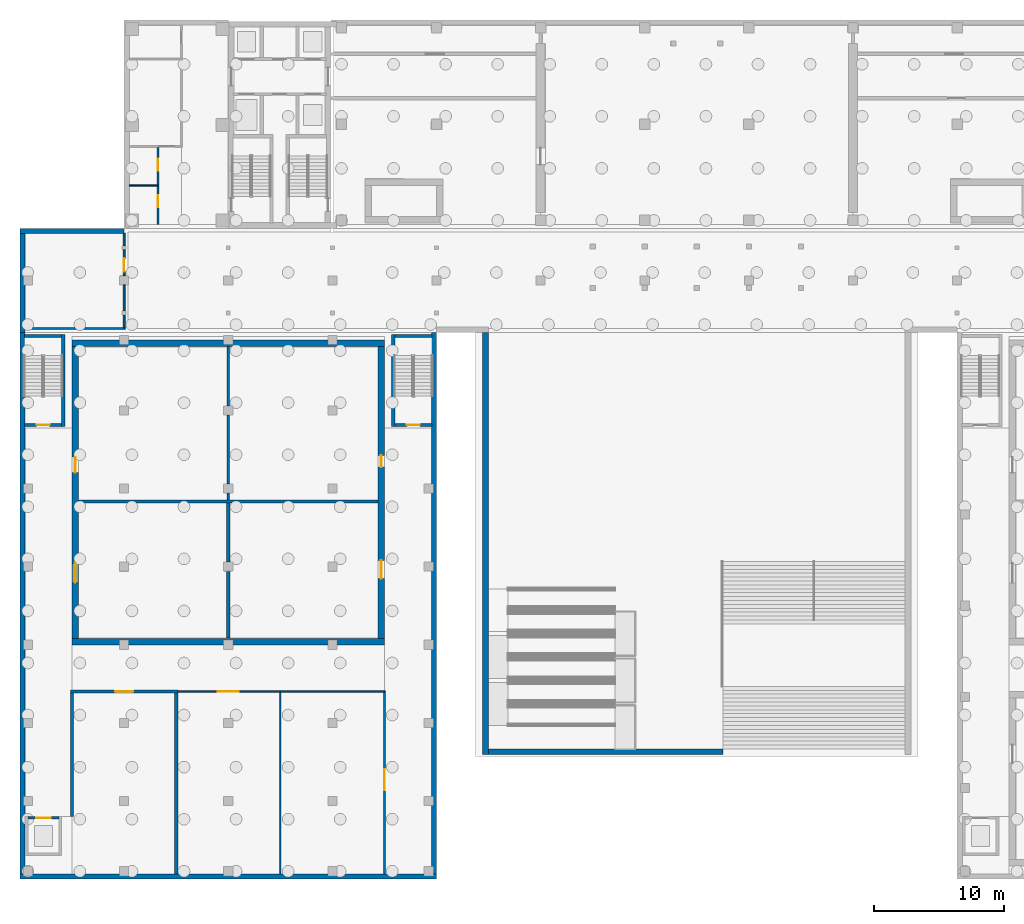
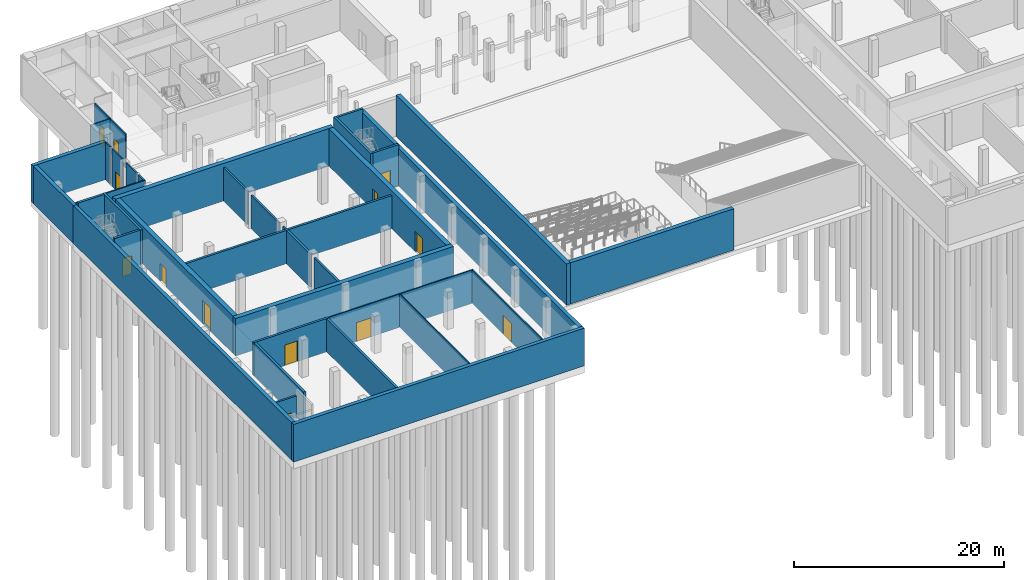
# One storey, part 6 of 21: 37 walls, 13 doors, 13 openings.
"""IFC4 building model written with IfcOpenShell, lengths in metres."""

import ifcopenshell
import ifcopenshell.guid

model = None  # the IFC model being written
_history = None  # IfcOwnerHistory: only IFC2X3 demands one
_inside = {}  # id of a spatial element -> (the spatial element, [elements in it])
_under = {}  # id of a project, library or spatial element -> (it, [spatial elements below it])
_declared = {}  # id of a project -> (the project, [libraries it declares])
_typed = {}  # id of a type object -> (the type object, [elements of that type])
_made_of = {}  # id of a material, layer set ... -> (it, [elements and type objects made of it])


def new_model(schema):
    """Start an empty IFC model of exactly this schema.

    Asked for "IFC4X3", IfcOpenShell would pick the latest addendum, in which some entities
    have other attributes; the version numbers below select the first issue.
    IFC2X3 requires an IfcOwnerHistory on every rooted entity: one is made here for all.
    """
    global model, _history
    if schema == "IFC4X3":
        model = ifcopenshell.file(schema_version=(4, 3, 0, 0))
    else:
        model = ifcopenshell.file(schema=schema)
    _inside.clear()
    _under.clear()
    _declared.clear()
    _typed.clear()
    _made_of.clear()
    _history = None
    if model.schema == "IFC2X3":
        org = make("IfcOrganization", Name="unknown")
        user = make(
            "IfcPersonAndOrganization",
            ThePerson=make("IfcPerson", FamilyName="unknown"),
            TheOrganization=org,
        )
        app = make(
            "IfcApplication",
            ApplicationDeveloper=org,
            Version="unknown",
            ApplicationFullName="unknown",
            ApplicationIdentifier="unknown",
        )
        _history = make(
            "IfcOwnerHistory",
            OwningUser=user,
            OwningApplication=app,
            ChangeAction="ADDED",
            CreationDate=0,
        )
    return model


def make(cls, **values):
    """One entity of the class cls with the attributes given. An attribute that is None is left unset."""
    return model.create_entity(
        cls, **{name: value for name, value in values.items() if value is not None}
    )


def rooted(cls, **values):
    """An entity with a GlobalId (a new one), such as an element, a storey or a relation."""
    return make(cls, GlobalId=ifcopenshell.guid.new(), OwnerHistory=_history, **values)


def si_unit(unit_type, name, prefix=None):
    """IfcSIUnit, for example si_unit("LENGTHUNIT", "METRE", prefix="MILLI")."""
    return make("IfcSIUnit", UnitType=unit_type, Prefix=prefix, Name=name)


def assignment(units):
    """IfcUnitAssignment: the units of a project."""
    return None if units is None else make("IfcUnitAssignment", Units=units)


def point(xyz):
    """IfcCartesianPoint."""
    return None if xyz is None else make("IfcCartesianPoint", Coordinates=xyz)


def direction(xyz):
    """IfcDirection."""
    return None if xyz is None else make("IfcDirection", DirectionRatios=xyz)


def frame(location, z_axis=None, x_axis=None):
    """IfcAxis2Placement3D, a coordinate frame: its origin and axes. An axis left out is left unset."""
    return make(
        "IfcAxis2Placement3D",
        Location=point(location),
        Axis=direction(z_axis),
        RefDirection=direction(x_axis),
    )


def frame_2d(location, x_axis=None):
    """IfcAxis2Placement2D, a coordinate frame in the plane: its origin and x axis."""
    return make(
        "IfcAxis2Placement2D", Location=point(location), RefDirection=direction(x_axis)
    )


def origin():
    """The frame at (0, 0, 0) with its axes left unset."""
    return frame((0.0, 0.0, 0.0))


def place(relative_to, where):
    """IfcLocalPlacement: puts the frame where relative to a parent placement (None: the world)."""
    return make(
        "IfcLocalPlacement", PlacementRelTo=relative_to, RelativePlacement=where
    )


def context(
    kind, dimensions, precision=None, world=None, true_north=None, identifier=None
):
    """IfcGeometricRepresentationContext, for example the 3D "Model" context."""
    return make(
        "IfcGeometricRepresentationContext",
        ContextIdentifier=identifier,
        ContextType=kind,
        CoordinateSpaceDimension=dimensions,
        Precision=precision,
        WorldCoordinateSystem=world,
        TrueNorth=true_north,
    )


def subcontext(parent, identifier, kind, view, scale=None):
    """IfcGeometricRepresentationSubContext, for example "Body" below "Model"."""
    return make(
        "IfcGeometricRepresentationSubContext",
        ContextIdentifier=identifier,
        ContextType=kind,
        ParentContext=parent,
        TargetScale=scale,
        TargetView=view,
    )


def project(units=None, contexts=None):
    """IfcProject with its units and contexts."""
    return rooted(
        "IfcProject",
        Name="project",
        RepresentationContexts=contexts,
        UnitsInContext=assignment(units),
    )


def spatial(cls, under=None, at=None, **own):
    """A site, building, storey or space (cls), placed at a placement, below another one or the project."""
    s = rooted(cls, ObjectPlacement=at, **own)
    if under is not None:
        _under.setdefault(under.id(), (under, []))[1].append(s)
    return s


def profile(cls, at=None, kind="AREA", **sizes):
    """A parametric profile (cls). Its sizes go by their IFC names, for example OverallWidth=200.0."""
    return make(cls, ProfileType=kind, Position=at, **sizes)


def rectangle(**sizes):
    """IfcRectangleProfileDef."""
    return profile("IfcRectangleProfileDef", **sizes)


def extrude(swept, where, along, depth):
    """IfcExtrudedAreaSolid: the profile swept, set in the frame where, extruded along a direction by depth."""
    return make(
        "IfcExtrudedAreaSolid",
        SweptArea=swept,
        Position=where,
        ExtrudedDirection=direction(along),
        Depth=depth,
    )


def shape(context_of_items, identifier, shape_type, items):
    """IfcShapeRepresentation: the items that make up one representation, for example the "Body"."""
    return make(
        "IfcShapeRepresentation",
        ContextOfItems=context_of_items,
        RepresentationIdentifier=identifier,
        RepresentationType=shape_type,
        Items=items,
    )


def material(Name=None, Category=None):
    """IfcMaterial."""
    return make("IfcMaterial", Name=Name, Category=Category)


def layer(
    of_material, thickness, ventilated=None, Name=None, Category=None, Priority=None
):
    """IfcMaterialLayer: one layer of a wall or slab, of a material (None: an air gap)."""
    return make(
        "IfcMaterialLayer",
        Material=of_material,
        LayerThickness=thickness,
        IsVentilated=ventilated,
        Name=Name,
        Category=Category,
        Priority=Priority,
    )


def layer_set(layers, Name=None):
    """IfcMaterialLayerSet."""
    return make("IfcMaterialLayerSet", MaterialLayers=layers, LayerSetName=Name)


def made_of(thing, what):
    """Note that an element or type object is made of a material, layer set ...; save() writes the relation."""
    if what is not None:
        _made_of.setdefault(what.id(), (what, []))[1].append(thing)
    return thing


def type_object(cls, material=None, **own):
    """A type object (cls), such as IfcWallType, which elements share."""
    return made_of(rooted(cls, **own), material)


def element(
    cls,
    number,
    at=None,
    inside=None,
    cuts=None,
    type_object=None,
    material=None,
    context=None,
    identifier="Body",
    shape_type=None,
    held_by="IfcProductDefinitionShape",
    body=None,
    shapes=None,
    **own,
):
    """One element of the class cls, such as IfcWall. Its Tag is "e" and its number.

    at: its placement. inside: the storey or other place that contains it. cuts: it is an
    opening in that element (IfcRelVoidsElement). A single representation is given by context,
    identifier, shape_type and body (its items); several are given by shapes. held_by: the class
    of the entity that holds the representations. save() writes the other relations.
    """
    e = rooted(cls, Tag="e%d" % number, ObjectPlacement=at, **own)
    if body is not None:
        shapes = [shape(context, identifier, shape_type, body)]
    if shapes is not None:
        e.Representation = make(held_by, Representations=shapes)
    if inside is not None:
        _inside.setdefault(inside.id(), (inside, []))[1].append(e)
    if cuts is not None:
        rooted(
            "IfcRelVoidsElement", RelatingBuildingElement=cuts, RelatedOpeningElement=e
        )
    if type_object is not None:
        _typed.setdefault(type_object.id(), (type_object, []))[1].append(e)
    return made_of(e, material)


def fill(opening, filler):
    """IfcRelFillsElement: the door or window that sits in an opening."""
    return rooted(
        "IfcRelFillsElement",
        RelatingOpeningElement=opening,
        RelatedBuildingElement=filler,
    )


def aggregate(whole, parts):
    """IfcRelAggregates: a whole, such as a stair, and the parts it consists of."""
    return rooted("IfcRelAggregates", RelatingObject=whole, RelatedObjects=parts)


def save(model, path):
    """Write the relations noted so far, then the file.

    IfcRelAggregates (storeys below a building ...), IfcRelContainedInSpatialStructure (elements
    in a storey), IfcRelDefinesByType, IfcRelAssociatesMaterial and IfcRelDeclares: one each for
    every whole, place, type object, material and project.
    """
    for whole, parts in _under.values():
        aggregate(whole, parts)
    for where, things in _inside.values():
        rooted(
            "IfcRelContainedInSpatialStructure",
            RelatedElements=things,
            RelatingStructure=where,
        )
    for kind, things in _typed.values():
        rooted("IfcRelDefinesByType", RelatedObjects=things, RelatingType=kind)
    for what, things in _made_of.values():
        rooted("IfcRelAssociatesMaterial", RelatedObjects=things, RelatingMaterial=what)
    for by, libraries in _declared.values():
        rooted("IfcRelDeclares", RelatingContext=by, RelatedDefinitions=libraries)
    model.write(path)


model = new_model("IFC4")

# Units and contexts
model_context = context("Model", 3, precision=1e-05, world=origin(), true_north=direction((0.0, 1.0)))
body_context = subcontext(model_context, "Body", "Model", "MODEL_VIEW")
ifc_project = project(units=[si_unit("LENGTHUNIT", "METRE"), si_unit("AREAUNIT", "SQUARE_METRE"), si_unit("VOLUMEUNIT", "CUBIC_METRE"), si_unit("PLANEANGLEUNIT", "RADIAN"), si_unit("MASSUNIT", "GRAM", prefix="KILO")], contexts=[model_context])

# Site, building, storey
site_placement = place(None, origin())
site = spatial("IfcSite", under=ifc_project, at=site_placement, CompositionType="ELEMENT")
building_placement = place(site_placement, origin())
building = spatial("IfcBuilding", under=site, at=building_placement, Name="Lantern Court Media Centre", CompositionType="ELEMENT")
storey_placement = place(building_placement, frame((0.0, 0.0, -4.800048828125)))
storey = spatial("IfcBuildingStorey", under=building, at=storey_placement, Name="B1", CompositionType="ELEMENT", Elevation=-4.800048828125)

# Wall, openings, doors
ifc_material_1 = material(Name="Gypsum board partition")
ifc_layer_1 = layer(ifc_material_1, 0.125)
ifc_layer_set_1 = layer_set([ifc_layer_1], Name="Gypsum board partition")
wall_type_1 = type_object("IfcWallType", Name="Corridor partition 125", PredefinedType="PARTITIONING", material=ifc_layer_set_1)
wall_1_placement = place(storey_placement, frame((10.60009765625, 48.300048828125, 0.0), z_axis=(0.0, 0.0, 1.0), x_axis=(0.0, 1.0, 0.0)))
wall_1 = element("IfcWall", 1, at=wall_1_placement, inside=storey, type_object=wall_type_1, Name="B1 partition 007", PredefinedType="PARTITIONING", context=body_context, shape_type="SweptSolid", body=[
    extrude(rectangle(XDim=5.907958984375, YDim=0.125, at=frame_2d((2.9541015625, 0.0))), origin(), (0.0, 0.0, 1.0), 3.97998046875),
])
opening_1_placement = place(wall_1_placement, frame((1.317626953125, 0.0, 0.0)))
opening_1 = element("IfcOpeningElement", 2, at=opening_1_placement, cuts=wall_1, Name="Opening B1-003", PredefinedType="OPENING", context=body_context, shape_type="SweptSolid", body=[
    extrude(rectangle(XDim=0.89990234375, YDim=2.10009765625, at=frame_2d((0.449951171875, 1.050048828125))), frame((0.0, 0.072509765625, 0.0), z_axis=(0.0, -1.0, 0.0), x_axis=(1.0, 0.0, 0.0)), (0.0, 0.0, 1.0), 0.14501953125),
])
opening_2_placement = place(wall_1_placement, frame((4.135986328125, 0.0, 0.0)))
opening_2 = element("IfcOpeningElement", 3, at=opening_2_placement, cuts=wall_1, Name="Opening B1-004", PredefinedType="OPENING", context=body_context, shape_type="SweptSolid", body=[
    extrude(rectangle(XDim=0.89990234375, YDim=2.10009765625, at=frame_2d((0.449951171875, 1.050048828125))), frame((0.0, 0.072509765625, 0.0), z_axis=(0.0, -1.0, 0.0), x_axis=(1.0, 0.0, 0.0)), (0.0, 0.0, 1.0), 0.14501953125),
])
ifc_material_2 = material(Name="Solid-core timber door leaf", Category="wood")
door_type_1 = type_object("IfcDoorType", Name="Single door 900x2100", OperationType="NOTDEFINED", PredefinedType="DOOR", material=ifc_material_2)
door_1_placement = place(opening_1_placement, origin())
door_1 = element("IfcDoor", 4, at=door_1_placement, inside=storey, type_object=door_type_1, Name="B1 WC Male door", OperationType="SINGLE_SWING_RIGHT", OverallHeight=2.10009765625, OverallWidth=0.89990234375, PredefinedType="DOOR", context=body_context, shape_type="SweptSolid", body=[
    extrude(rectangle(XDim=0.89990234375, YDim=2.10009765625, at=frame_2d((0.449951171875, 1.050048828125))), frame((0.0, 0.02490234375, 0.0), z_axis=(0.0, -1.0, 0.0), x_axis=(1.0, 0.0, 0.0)), (0.0, 0.0, 1.0), 0.050048828125),
])
fill(opening_1, door_1)
door_2_placement = place(opening_2_placement, origin())
door_2 = element("IfcDoor", 5, at=door_2_placement, inside=storey, type_object=door_type_1, Name="B1 WC Female door", OperationType="SINGLE_SWING_LEFT", OverallHeight=2.10009765625, OverallWidth=0.89990234375, PredefinedType="DOOR", context=body_context, shape_type="SweptSolid", body=[
    extrude(rectangle(XDim=0.89990234375, YDim=2.10009765625, at=frame_2d((0.449951171875, 1.050048828125))), frame((0.0, 0.02490234375, 0.0), z_axis=(0.0, -1.0, 0.0), x_axis=(1.0, 0.0, 0.0)), (0.0, 0.0, 1.0), 0.050048828125),
])
fill(opening_2, door_2)

# Wall, opening, door
wall_2_placement = place(storey_placement, frame((28.0, -1.594970703125, 0.0), z_axis=(0.0, 0.0, 1.0), x_axis=(0.0, 1.0, 0.0)))
wall_2 = element("IfcWall", 6, at=wall_2_placement, inside=storey, type_object=wall_type_1, Name="B1 partition 013", PredefinedType="PARTITIONING", context=body_context, shape_type="SweptSolid", body=[
    extrude(rectangle(XDim=13.932373046875, YDim=0.125, at=frame_2d((6.96630859375, 0.0))), origin(), (0.0, 0.0, 1.0), 3.880126953125),
])
opening_3_placement = place(wall_2_placement, frame((6.419921875, 0.0, 0.0)))
opening_3 = element("IfcOpeningElement", 7, at=opening_3_placement, cuts=wall_2, Name="Opening B1-011", PredefinedType="OPENING", context=body_context, shape_type="SweptSolid", body=[
    extrude(rectangle(XDim=1.60009765625, YDim=2.199951171875, at=frame_2d((0.800048828125, 1.10009765625))), frame((0.0, 0.072509765625, 0.0), z_axis=(0.0, -1.0, 0.0), x_axis=(1.0, 0.0, 0.0)), (0.0, 0.0, 1.0), 0.14501953125),
])
door_type_2 = type_object("IfcDoorType", Name="Double door 1600x2200", OperationType="NOTDEFINED", PredefinedType="DOOR", material=ifc_material_2)
door_3_placement = place(opening_3_placement, frame((1.60009765625, 0.0, 0.0), z_axis=(0.0, 0.0, 1.0), x_axis=(-1.0, 0.0, 0.0)))
door_3 = element("IfcDoor", 8, at=door_3_placement, inside=storey, type_object=door_type_2, Name="B1 Water Tank Room door", OperationType="DOUBLE_DOOR_SINGLE_SWING", OverallHeight=2.199951171875, OverallWidth=1.60009765625, PredefinedType="DOOR", context=body_context, shape_type="SweptSolid", body=[
    extrude(rectangle(XDim=1.60009765625, YDim=2.199951171875, at=frame_2d((0.800048828125, 1.10009765625))), frame((0.0, 0.02490234375, 0.0), z_axis=(0.0, -1.0, 0.0), x_axis=(1.0, 0.0, 0.0)), (0.0, 0.0, 1.0), 0.050048828125),
])
fill(opening_3, door_3)

wall_3_placement = place(storey_placement, frame((11.8798828125, 12.39990234375, 0.0), z_axis=(0.0, 0.0, 1.0), x_axis=(1.0, 0.0, 0.0)))
wall_3 = element("IfcWall", 9, at=wall_3_placement, inside=storey, type_object=wall_type_1, Name="B1 partition 015", PredefinedType="PARTITIONING", context=body_context, shape_type="SweptSolid", body=[
    extrude(rectangle(XDim=16.1826171875, YDim=0.125, at=frame_2d((8.09130859375, 0.0))), origin(), (0.0, 0.0, 1.0), 3.880126953125),
])
opening_4_placement = place(wall_3_placement, frame((3.320068359375, 0.0, 0.0)))
opening_4 = element("IfcOpeningElement", 10, at=opening_4_placement, cuts=wall_3, Name="Opening B1-010", PredefinedType="OPENING", context=body_context, shape_type="SweptSolid", body=[
    extrude(rectangle(XDim=1.60009765625, YDim=2.199951171875, at=frame_2d((0.800048828125, 1.10009765625))), frame((0.0, 0.072509765625, 0.0), z_axis=(0.0, -1.0, 0.0), x_axis=(1.0, 0.0, 0.0)), (0.0, 0.0, 1.0), 0.14501953125),
])
door_4_placement = place(opening_4_placement, origin())
door_4 = element("IfcDoor", 11, at=door_4_placement, inside=storey, type_object=door_type_2, Name="B1 Cinema Hall Switchroom door", OperationType="DOUBLE_DOOR_SINGLE_SWING", OverallHeight=2.199951171875, OverallWidth=1.60009765625, PredefinedType="DOOR", context=body_context, shape_type="SweptSolid", body=[
    extrude(rectangle(XDim=1.60009765625, YDim=2.199951171875, at=frame_2d((0.800048828125, 1.10009765625))), frame((0.0, 0.02490234375, 0.0), z_axis=(0.0, -1.0, 0.0), x_axis=(1.0, 0.0, 0.0)), (0.0, 0.0, 1.0), 0.050048828125),
])
fill(opening_4, door_4)

# Walls
ifc_material_3 = material(Name="Concrete blockwork C20", Category="masonry")
ifc_layer_2 = layer(ifc_material_3, 0.199951171875)
ifc_layer_set_2 = layer_set([ifc_layer_2], Name="Concrete blockwork C20")
wall_type_2 = type_object("IfcWallType", Name="Fire-rated blockwork wall 200", PredefinedType="PARTITIONING", material=ifc_layer_set_2)
wall_4_placement = place(storey_placement, frame((16.0, 27.1201171875, 0.0), z_axis=(0.0, 0.0, 1.0), x_axis=(0.0, 1.0, 0.0)))
element("IfcWall", 12, at=wall_4_placement, inside=storey, type_object=wall_type_2, Name="B1 partition 022", PredefinedType="PARTITIONING", context=body_context, shape_type="SweptSolid", body=[
    extrude(rectangle(XDim=0.52490234375, YDim=0.199951171875, at=frame_2d((0.262451171875, 0.0))), origin(), (0.0, 0.0, 1.0), 3.880126953125),
])
wall_5_placement = place(storey_placement, frame((16.0, 28.35498046875, 0.0), z_axis=(0.0, 0.0, 1.0), x_axis=(0.0, 1.0, 0.0)))
element("IfcWall", 13, at=wall_5_placement, inside=storey, type_object=wall_type_2, Name="B1 partition 023", PredefinedType="PARTITIONING", context=body_context, shape_type="SweptSolid", body=[
    extrude(rectangle(XDim=5.2900390625, YDim=0.199951171875, at=frame_2d((2.64501953125, 0.0))), origin(), (0.0, 0.0, 1.0), 3.880126953125),
])
wall_6_placement = place(storey_placement, frame((16.0, 34.35498046875, 0.0), z_axis=(0.0, 0.0, 1.0), x_axis=(0.0, 1.0, 0.0)))
element("IfcWall", 14, at=wall_6_placement, inside=storey, type_object=wall_type_2, Name="B1 partition 024", PredefinedType="PARTITIONING", context=body_context, shape_type="SweptSolid", body=[
    extrude(rectangle(XDim=4.544921875, YDim=0.199951171875, at=frame_2d((2.2724609375, 0.0))), origin(), (0.0, 0.0, 1.0), 3.880126953125),
])
ifc_layer_3 = layer(ifc_material_1, 0.10009765625)
ifc_layer_set_3 = layer_set([ifc_layer_3], Name="Gypsum board partition")
wall_type_3 = type_object("IfcWallType", Name="Partition 100", PredefinedType="PARTITIONING", material=ifc_layer_set_3)
wall_7_placement = place(storey_placement, frame((8.39990234375, 51.284912109375, 0.0), z_axis=(0.0, 0.0, 1.0), x_axis=(1.0, 0.0, 0.0)))
element("IfcWall", 15, at=wall_7_placement, inside=storey, type_object=wall_type_3, Name="B1 partition 008", PredefinedType="PARTITIONING", context=body_context, shape_type="SweptSolid", body=[
    extrude(rectangle(XDim=2.2626953125, YDim=0.10009765625, at=frame_2d((1.13134765625, 0.0))), origin(), (0.0, 0.0, 1.0), 3.97998046875),
])
wall_8_placement = place(storey_placement, frame((20.0, -1.594970703125, 0.0), z_axis=(0.0, 0.0, 1.0), x_axis=(0.0, 1.0, 0.0)))
element("IfcWall", 16, at=wall_8_placement, inside=storey, type_object=wall_type_3, Name="B1 partition 017", PredefinedType="PARTITIONING", context=body_context, shape_type="SweptSolid", body=[
    extrude(rectangle(XDim=13.932373046875, YDim=0.10009765625, at=frame_2d((6.96630859375, 0.0))), origin(), (0.0, 0.0, 1.0), 3.880126953125),
])
ifc_layer_4 = layer(ifc_material_3, 0.14990234375)
ifc_layer_set_4 = layer_set([ifc_layer_4], Name="Concrete blockwork C20")
wall_type_4 = type_object("IfcWallType", Name="Partition 150 masonry", PredefinedType="PARTITIONING", material=ifc_layer_set_4)
wall_9_placement = place(storey_placement, frame((8.0, 40.375, 0.0), z_axis=(0.0, 0.0, 1.0), x_axis=(0.0, 1.0, 0.0)))
element("IfcWall", 17, at=wall_9_placement, inside=storey, type_object=wall_type_4, Name="B1 partition 041", PredefinedType="PARTITIONING", context=body_context, shape_type="SweptSolid", body=[
    extrude(rectangle(XDim=0.969970703125, YDim=0.14990234375, at=frame_2d((0.48486328125, 0.0))), origin(), (0.0, 0.0, 1.0), 4.360107421875),
])
wall_10_placement = place(storey_placement, frame((8.0, 41.655029296875, 0.0), z_axis=(0.0, 0.0, 1.0), x_axis=(0.0, 1.0, 0.0)))
element("IfcWall", 18, at=wall_10_placement, inside=storey, type_object=wall_type_4, Name="B1 partition 042", PredefinedType="PARTITIONING", context=body_context, shape_type="SweptSolid", body=[
    extrude(rectangle(XDim=1.989990234375, YDim=0.14990234375, at=frame_2d((0.9951171875, 0.0))), origin(), (0.0, 0.0, 1.0), 4.360107421875),
])

# Wall, opening, door
wall_11_placement = place(storey_placement, frame((8.0, 44.35498046875, 0.0), z_axis=(0.0, 0.0, 1.0), x_axis=(0.0, 1.0, 0.0)))
wall_11 = element("IfcWall", 19, at=wall_11_placement, inside=storey, type_object=wall_type_4, Name="B1 partition 043", PredefinedType="PARTITIONING", context=body_context, shape_type="SweptSolid", body=[
    extrude(rectangle(XDim=1.989990234375, YDim=0.14990234375, at=frame_2d((0.9951171875, 0.0))), origin(), (0.0, 0.0, 1.0), 4.360107421875),
])
opening_5_placement = place(wall_11_placement, frame((0.294921875, 0.0, 0.0)))
opening_5 = element("IfcOpeningElement", 20, at=opening_5_placement, cuts=wall_11, Name="Opening B1-023", PredefinedType="OPENING", context=body_context, shape_type="SweptSolid", body=[
    extrude(rectangle(XDim=1.050048828125, YDim=2.10009765625, at=frame_2d((0.52490234375, 1.050048828125))), frame((0.0, 0.0849609375, 0.0), z_axis=(0.0, -1.0, 0.0), x_axis=(1.0, 0.0, 0.0)), (0.0, 0.0, 1.0), 0.169921875),
])
ifc_material_4 = material(Name="Steel door leaf", Category="steel")
door_type_3 = type_object("IfcDoorType", Name="Store fire door 1050x2100", OperationType="NOTDEFINED", PredefinedType="DOOR", material=ifc_material_4)
door_5_placement = place(opening_5_placement, origin())
door_5 = element("IfcDoor", 21, at=door_5_placement, inside=storey, type_object=door_type_3, Name="B1 Metro Link Store door", OperationType="SINGLE_SWING_RIGHT", OverallHeight=2.10009765625, OverallWidth=1.050048828125, PredefinedType="DOOR", context=body_context, shape_type="SweptSolid", body=[
    extrude(rectangle(XDim=1.050048828125, YDim=2.10009765625, at=frame_2d((0.52490234375, 1.050048828125))), frame((0.0, 0.02490234375, 0.0), z_axis=(0.0, -1.0, 0.0), x_axis=(1.0, 0.0, 0.0)), (0.0, 0.0, 1.0), 0.050048828125),
])
fill(opening_5, door_5)

# Walls
wall_12_placement = place(storey_placement, frame((8.0, 46.655029296875, 0.0), z_axis=(0.0, 0.0, 1.0), x_axis=(0.0, 1.0, 0.0)))
element("IfcWall", 22, at=wall_12_placement, inside=storey, type_object=wall_type_4, Name="B1 partition 044", PredefinedType="PARTITIONING", context=body_context, shape_type="SweptSolid", body=[
    extrude(rectangle(XDim=0.945068359375, YDim=0.14990234375, at=frame_2d((0.47265625, 0.0))), origin(), (0.0, 0.0, 1.0), 4.360107421875),
])
wall_13_placement = place(storey_placement, frame((0.39990234375, 40.300048828125, 0.0), z_axis=(0.0, 0.0, 1.0), x_axis=(1.0, 0.0, 0.0)))
element("IfcWall", 23, at=wall_13_placement, inside=storey, type_object=wall_type_4, Name="B1 partition 045", PredefinedType="PARTITIONING", context=body_context, shape_type="SweptSolid", body=[
    extrude(rectangle(XDim=7.675048828125, YDim=0.14990234375, at=frame_2d((3.83740234375, 0.0))), origin(), (0.0, 0.0, 1.0), 4.360107421875),
])
ifc_layer_5 = layer(ifc_material_3, 0.239990234375)
ifc_layer_set_5 = layer_set([ifc_layer_5], Name="Concrete blockwork C20")
wall_type_5 = type_object("IfcWallType", Name="Plant room acoustic fire wall 240", PredefinedType="PARTITIONING", material=ifc_layer_set_5)
wall_14_placement = place(storey_placement, frame((4.0, 2.800048828125, 0.0), z_axis=(0.0, 0.0, 1.0), x_axis=(0.0, 1.0, 0.0)))
element("IfcWall", 24, at=wall_14_placement, inside=storey, type_object=wall_type_5, Name="B1 partition 012", PredefinedType="PARTITIONING", context=body_context, shape_type="SweptSolid", body=[
    extrude(rectangle(XDim=9.47998046875, YDim=0.239990234375, at=frame_2d((4.739990234375, 0.0))), origin(), (0.0, 0.0, 1.0), 3.880126953125),
])

# Wall, opening, door
wall_15_placement = place(storey_placement, frame((3.8798828125, 12.39990234375, 0.0), z_axis=(0.0, 0.0, 1.0), x_axis=(1.0, 0.0, 0.0)))
wall_15 = element("IfcWall", 25, at=wall_15_placement, inside=storey, type_object=wall_type_5, Name="B1 partition 014", PredefinedType="PARTITIONING", context=body_context, shape_type="SweptSolid", body=[
    extrude(rectangle(XDim=8.240234375, YDim=0.239990234375, at=frame_2d((4.1201171875, 0.0))), origin(), (0.0, 0.0, 1.0), 3.880126953125),
])
opening_6_placement = place(wall_15_placement, frame((3.419921875, 0.0, 0.0)))
opening_6 = element("IfcOpeningElement", 26, at=opening_6_placement, cuts=wall_15, Name="Opening B1-009", PredefinedType="OPENING", context=body_context, shape_type="SweptSolid", body=[
    extrude(rectangle(XDim=1.39990234375, YDim=2.39990234375, at=frame_2d((0.699951171875, 1.199951171875))), frame((0.0, 0.1298828125, 0.0), z_axis=(0.0, -1.0, 0.0), x_axis=(1.0, 0.0, 0.0)), (0.0, 0.0, 1.0), 0.260009765625),
])
door_type_4 = type_object("IfcDoorType", Name="Plant room fire door 1400x2400", OperationType="NOTDEFINED", PredefinedType="DOOR", material=ifc_material_4)
door_6_placement = place(opening_6_placement, origin())
door_6 = element("IfcDoor", 27, at=door_6_placement, inside=storey, type_object=door_type_4, Name="B1 Chiller Plant Room door", OperationType="SINGLE_SWING_RIGHT", OverallHeight=2.39990234375, OverallWidth=1.39990234375, PredefinedType="DOOR", context=body_context, shape_type="SweptSolid", body=[
    extrude(rectangle(XDim=1.39990234375, YDim=2.39990234375, at=frame_2d((0.699951171875, 1.199951171875))), frame((0.0, 0.02490234375, 0.0), z_axis=(0.0, -1.0, 0.0), x_axis=(1.0, 0.0, 0.0)), (0.0, 0.0, 1.0), 0.050048828125),
])
fill(opening_6, door_6)

# Walls
wall_16_placement = place(storey_placement, frame((12.0, -1.594970703125, 0.0), z_axis=(0.0, 0.0, 1.0), x_axis=(0.0, 1.0, 0.0)))
element("IfcWall", 28, at=wall_16_placement, inside=storey, type_object=wall_type_5, Name="B1 partition 016", PredefinedType="PARTITIONING", context=body_context, shape_type="SweptSolid", body=[
    extrude(rectangle(XDim=13.875, YDim=0.239990234375, at=frame_2d((6.9375, 0.0))), origin(), (0.0, 0.0, 1.0), 3.880126953125),
])
wall_17_placement = place(storey_placement, frame((4.5048828125, 27.0, 0.0), z_axis=(0.0, 0.0, 1.0), x_axis=(1.0, 0.0, 0.0)))
element("IfcWall", 29, at=wall_17_placement, inside=storey, type_object=wall_type_5, Name="B1 partition 018", PredefinedType="PARTITIONING", context=body_context, shape_type="SweptSolid", body=[
    extrude(rectangle(XDim=22.990234375, YDim=0.239990234375, at=frame_2d((11.4951171875, 0.0))), origin(), (0.0, 0.0, 1.0), 3.880126953125),
])
wall_18_placement = place(storey_placement, frame((16.0, 16.5048828125, 0.0), z_axis=(0.0, 0.0, 1.0), x_axis=(0.0, 1.0, 0.0)))
element("IfcWall", 30, at=wall_18_placement, inside=storey, type_object=wall_type_5, Name="B1 partition 020", PredefinedType="PARTITIONING", context=body_context, shape_type="SweptSolid", body=[
    extrude(rectangle(XDim=5.14013671875, YDim=0.239990234375, at=frame_2d((2.570068359375, 0.0))), origin(), (0.0, 0.0, 1.0), 3.880126953125),
])
wall_19_placement = place(storey_placement, frame((16.0, 22.35498046875, 0.0), z_axis=(0.0, 0.0, 1.0), x_axis=(0.0, 1.0, 0.0)))
element("IfcWall", 31, at=wall_19_placement, inside=storey, type_object=wall_type_5, Name="B1 partition 021", PredefinedType="PARTITIONING", context=body_context, shape_type="SweptSolid", body=[
    extrude(rectangle(XDim=4.52490234375, YDim=0.239990234375, at=frame_2d((2.262451171875, 0.0))), origin(), (0.0, 0.0, 1.0), 3.880126953125),
])
ifc_material_5 = material(Name="Concrete C40", Category="concrete")
ifc_layer_6 = layer(ifc_material_5, 0.5)
ifc_layer_set_6 = layer_set([ifc_layer_6], Name="Concrete C40")
wall_type_6 = type_object("IfcWallType", Name="RC BASEMENT BOX WALL 500", PredefinedType="SHEAR", material=ifc_layer_set_6)
for number, where, z_axis, x_axis, name in (
    (32, (4.0, 16.25, 0.0), (0.0, 0.0, 1.0), (1.0, 0.0, 0.0), "WB-V1-SC1-B1-S"),
    (33, (4.0, 39.14990234375, 0.0), (0.0, 0.0, 1.0), (1.0, 0.0, 0.0), "WB-V1-SC1-B1-N"),
):
    element("IfcWall", number, at=place(storey_placement, frame(where, z_axis=z_axis, x_axis=x_axis)), inside=storey, type_object=wall_type_6, Name=name, PredefinedType="SHEAR", context=body_context, shape_type="SweptSolid", body=[
        extrude(rectangle(XDim=24.0, YDim=0.5, at=frame_2d((12.0, 0.0))), origin(), (0.0, 0.0, 1.0), 4.380126953125),
    ])

# Wall, openings, doors
wall_20_placement = place(storey_placement, frame((4.25, 16.5, 0.0), z_axis=(0.0, 0.0, 1.0), x_axis=(0.0, 1.0, 0.0)))
wall_20 = element("IfcWall", 34, at=wall_20_placement, inside=storey, type_object=wall_type_6, Name="WB-V1-SC1-B1-W", PredefinedType="SHEAR", context=body_context, shape_type="SweptSolid", body=[
    extrude(rectangle(XDim=22.39990234375, YDim=0.5, at=frame_2d((11.199951171875, 0.0))), origin(), (0.0, 0.0, 1.0), 4.380126953125),
])
opening_7_placement = place(wall_20_placement, frame((4.25, 0.0, 0.0)))
opening_7 = element("IfcOpeningElement", 35, at=opening_7_placement, cuts=wall_20, Name="Opening B1-012", PredefinedType="OPENING", context=body_context, shape_type="SweptSolid", body=[
    extrude(rectangle(XDim=1.5, YDim=2.699951171875, at=frame_2d((0.75, 1.35009765625))), frame((0.0, 0.260009765625, 0.0), z_axis=(0.0, -1.0, 0.0), x_axis=(1.0, 0.0, 0.0)), (0.0, 0.0, 1.0), 0.52001953125),
])
opening_8_placement = place(wall_20_placement, frame((12.72509765625, 0.0, 0.0)))
opening_8 = element("IfcOpeningElement", 36, at=opening_8_placement, cuts=wall_20, Name="Opening B1-014", PredefinedType="OPENING", context=body_context, shape_type="SweptSolid", body=[
    extrude(rectangle(XDim=1.199951171875, YDim=2.10009765625, at=frame_2d((0.60009765625, 1.050048828125))), frame((0.0, 0.260009765625, 0.0), z_axis=(0.0, -1.0, 0.0), x_axis=(1.0, 0.0, 0.0)), (0.0, 0.0, 1.0), 0.52001953125),
])
door_type_5 = type_object("IfcDoorType", Name="Generator hall fire door 1500x2700", OperationType="NOTDEFINED", PredefinedType="DOOR", material=ifc_material_4)
door_7_placement = place(opening_7_placement, origin())
door_7 = element("IfcDoor", 37, at=door_7_placement, inside=storey, type_object=door_type_5, Name="B1 Standby Generator Hall door", OperationType="SINGLE_SWING_LEFT", OverallHeight=2.699951171875, OverallWidth=1.5, PredefinedType="DOOR", context=body_context, shape_type="SweptSolid", body=[
    extrude(rectangle(XDim=1.5, YDim=2.699951171875, at=frame_2d((0.75, 1.35009765625))), frame((0.0, 0.02490234375, 0.0), z_axis=(0.0, -1.0, 0.0), x_axis=(1.0, 0.0, 0.0)), (0.0, 0.0, 1.0), 0.050048828125),
])
fill(opening_7, door_7)
door_type_6 = type_object("IfcDoorType", Name="Large store fire door 1200x2100", OperationType="NOTDEFINED", PredefinedType="DOOR", material=ifc_material_4)
door_8_placement = place(opening_8_placement, origin())
door_8 = element("IfcDoor", 38, at=door_8_placement, inside=storey, type_object=door_type_6, Name="B1 Cinema Store door", OperationType="SINGLE_SWING_LEFT", OverallHeight=2.10009765625, OverallWidth=1.199951171875, PredefinedType="DOOR", context=body_context, shape_type="SweptSolid", body=[
    extrude(rectangle(XDim=1.199951171875, YDim=2.10009765625, at=frame_2d((0.60009765625, 1.050048828125))), frame((0.0, 0.02490234375, 0.0), z_axis=(0.0, -1.0, 0.0), x_axis=(1.0, 0.0, 0.0)), (0.0, 0.0, 1.0), 0.050048828125),
])
fill(opening_8, door_8)

wall_21_placement = place(storey_placement, frame((27.75, 16.5, 0.0), z_axis=(0.0, 0.0, 1.0), x_axis=(0.0, 1.0, 0.0)))
wall_21 = element("IfcWall", 39, at=wall_21_placement, inside=storey, type_object=wall_type_6, Name="WB-V1-SC1-B1-E", PredefinedType="SHEAR", context=body_context, shape_type="SweptSolid", body=[
    extrude(rectangle(XDim=22.39990234375, YDim=0.5, at=frame_2d((11.199951171875, 0.0))), origin(), (0.0, 0.0, 1.0), 4.380126953125),
])
opening_9_placement = place(wall_21_placement, frame((4.574951171875, 0.0, 0.0)))
opening_9 = element("IfcOpeningElement", 40, at=opening_9_placement, cuts=wall_21, Name="Opening B1-013", PredefinedType="OPENING", context=body_context, shape_type="SweptSolid", body=[
    extrude(rectangle(XDim=1.39990234375, YDim=2.39990234375, at=frame_2d((0.699951171875, 1.199951171875))), frame((0.0, 0.260009765625, 0.0), z_axis=(0.0, -1.0, 0.0), x_axis=(1.0, 0.0, 0.0)), (0.0, 0.0, 1.0), 0.52001953125),
])
opening_10_placement = place(wall_21_placement, frame((13.14990234375, 0.0, 0.0)))
opening_10 = element("IfcOpeningElement", 41, at=opening_10_placement, cuts=wall_21, Name="Opening B1-015", PredefinedType="OPENING", context=body_context, shape_type="SweptSolid", body=[
    extrude(rectangle(XDim=0.89990234375, YDim=2.39990234375, at=frame_2d((0.449951171875, 1.199951171875))), frame((0.0, 0.260009765625, 0.0), z_axis=(0.0, -1.0, 0.0), x_axis=(1.0, 0.0, 0.0)), (0.0, 0.0, 1.0), 0.52001953125),
])
door_type_7 = type_object("IfcDoorType", Name="Fuel store fire door 900x2400", OperationType="NOTDEFINED", PredefinedType="DOOR", material=ifc_material_4)
door_9_placement = place(opening_10_placement, frame((0.89990234375, 0.0, 0.0), z_axis=(0.0, 0.0, 1.0), x_axis=(-1.0, 0.0, 0.0)))
door_9 = element("IfcDoor", 42, at=door_9_placement, inside=storey, type_object=door_type_7, Name="B1 Fuel and Oil Store door", OperationType="SINGLE_SWING_RIGHT", OverallHeight=2.39990234375, OverallWidth=0.89990234375, PredefinedType="DOOR", context=body_context, shape_type="SweptSolid", body=[
    extrude(rectangle(XDim=0.89990234375, YDim=2.39990234375, at=frame_2d((0.449951171875, 1.199951171875))), frame((0.0, 0.02490234375, 0.0), z_axis=(0.0, -1.0, 0.0), x_axis=(1.0, 0.0, 0.0)), (0.0, 0.0, 1.0), 0.050048828125),
])
fill(opening_10, door_9)
door_10_placement = place(opening_9_placement, frame((1.39990234375, 0.0, 0.0), z_axis=(0.0, 0.0, 1.0), x_axis=(-1.0, 0.0, 0.0)))
door_10 = element("IfcDoor", 43, at=door_10_placement, inside=storey, type_object=door_type_4, Name="B1 Air Handling Plant Room door", OperationType="SINGLE_SWING_RIGHT", OverallHeight=2.39990234375, OverallWidth=1.39990234375, PredefinedType="DOOR", context=body_context, shape_type="SweptSolid", body=[
    extrude(rectangle(XDim=1.39990234375, YDim=2.39990234375, at=frame_2d((0.699951171875, 1.199951171875))), frame((0.0, 0.02490234375, 0.0), z_axis=(0.0, -1.0, 0.0), x_axis=(1.0, 0.0, 0.0)), (0.0, 0.0, 1.0), 0.050048828125),
])
fill(opening_9, door_10)

# Walls
ifc_material_6 = material(Name="Concrete C35", Category="concrete")
ifc_layer_7 = layer(ifc_material_6, 0.39990234375)
ifc_layer_set_7 = layer_set([ifc_layer_7], Name="Concrete C35")
wall_type_7 = type_object("IfcWallType", Name="RC RETAINING WALL 400", PredefinedType="SOLIDWALL", material=ifc_layer_set_7)
wall_22_placement = place(storey_placement, frame((0.0, -1.800048828125, 0.0), z_axis=(0.0, 0.0, 1.0), x_axis=(1.0, 0.0, 0.0)))
element("IfcWall", 44, at=wall_22_placement, inside=storey, type_object=wall_type_7, Name="WR-B1-0", PredefinedType="SOLIDWALL", context=body_context, shape_type="SweptSolid", body=[
    extrude(rectangle(XDim=32.0, YDim=0.39990234375, at=frame_2d((16.0, 0.0))), origin(), (0.0, 0.0, 1.0), 4.380126953125),
])
wall_23_placement = place(storey_placement, frame((0.0, 47.800048828125, 0.0), z_axis=(0.0, 0.0, 1.0), x_axis=(1.0, 0.0, 0.0)))
element("IfcWall", 45, at=wall_23_placement, inside=storey, type_object=wall_type_7, Name="WR-B1-5", PredefinedType="SOLIDWALL", context=body_context, shape_type="SweptSolid", body=[
    extrude(rectangle(XDim=8.0, YDim=0.39990234375, at=frame_2d((4.0, 0.0))), origin(), (0.0, 0.0, 1.0), 4.380126953125),
])
for number, where, z_axis, x_axis, name in (
    (46, (0.199951171875, -1.60009765625, 0.0), (0.0, 0.0, 1.0), (0.0, 1.0, 0.0), "WR-B1-6"),
    (47, (31.800048828125, -1.60009765625, 0.0), (0.0, 0.0, 1.0), (0.0, 1.0, 0.0), "WR-B1-7"),
):
    element("IfcWall", number, at=place(storey_placement, frame(where, z_axis=z_axis, x_axis=x_axis)), inside=storey, type_object=wall_type_7, Name=name, PredefinedType="SOLIDWALL", context=body_context, shape_type="SweptSolid", body=[
        extrude(rectangle(XDim=41.60009765625, YDim=0.39990234375, at=frame_2d((20.800048828125, 0.0))), origin(), (0.0, 0.0, 1.0), 4.380126953125),
    ])
wall_24_placement = place(storey_placement, frame((0.199951171875, 40.0, 0.0), z_axis=(0.0, 0.0, 1.0), x_axis=(0.0, 1.0, 0.0)))
element("IfcWall", 48, at=wall_24_placement, inside=storey, type_object=wall_type_7, Name="WR-B1-13", PredefinedType="SOLIDWALL", context=body_context, shape_type="SweptSolid", body=[
    extrude(rectangle(XDim=7.60009765625, YDim=0.39990234375, at=frame_2d((3.800048828125, 0.0))), origin(), (0.0, 0.0, 1.0), 4.380126953125),
])
ifc_layer_8 = layer(ifc_material_6, 0.449951171875)
ifc_layer_set_8 = layer_set([ifc_layer_8], Name="Concrete C35")
wall_type_8 = type_object("IfcWallType", Name="RC RETAINING WALL 450", PredefinedType="SOLIDWALL", material=ifc_layer_set_8)
wall_25_placement = place(storey_placement, frame((35.77490234375, 7.550048828125, 0.0), z_axis=(0.0, 0.0, 1.0), x_axis=(0.0, 1.0, 0.0)))
element("IfcWall", 49, at=wall_25_placement, inside=storey, type_object=wall_type_8, Name="WR-FC-W", PredefinedType="SOLIDWALL", context=body_context, shape_type="SweptSolid", body=[
    extrude(rectangle(XDim=32.449951171875, YDim=0.449951171875, at=frame_2d((16.22509765625, 0.0))), origin(), (0.0, 0.0, 1.0), 4.800048828125),
])
wall_26_placement = place(storey_placement, frame((36.0, 7.77490234375, 0.0), z_axis=(0.0, 0.0, 1.0), x_axis=(1.0, 0.0, 0.0)))
element("IfcWall", 50, at=wall_26_placement, inside=storey, type_object=wall_type_8, Name="WR-FC-S", PredefinedType="SOLIDWALL", context=body_context, shape_type="SweptSolid", body=[
    extrude(rectangle(XDim=18.0, YDim=0.449951171875, at=frame_2d((9.0, 0.0))), origin(), (0.0, 0.0, 1.0), 4.800048828125),
])

# Wall, opening, door
ifc_layer_9 = layer(ifc_material_5, 0.199951171875)
ifc_layer_set_9 = layer_set([ifc_layer_9], Name="Concrete C40")
wall_type_9 = type_object("IfcWallType", Name="RC lift shaft wall 200", PredefinedType="SOLIDWALL", material=ifc_layer_set_9)
wall_27_placement = place(storey_placement, frame((0.60009765625, 2.699951171875, 0.0), z_axis=(0.0, 0.0, 1.0), x_axis=(1.0, 0.0, 0.0)))
wall_27 = element("IfcWall", 51, at=wall_27_placement, inside=storey, type_object=wall_type_9, Name="B1 V1-LIFT shaft wall N", PredefinedType="SOLIDWALL", context=body_context, shape_type="SweptSolid", body=[
    extrude(rectangle(XDim=2.39990234375, YDim=0.199951171875, at=frame_2d((1.199951171875, 0.0))), origin(), (0.0, 0.0, 1.0), 3.880126953125),
])
opening_11_placement = place(wall_27_placement, frame((0.64990234375, 0.0, 0.0)))
opening_11 = element("IfcOpeningElement", 52, at=opening_11_placement, cuts=wall_27, Name="Opening LD-V1-LIFT-B1", PredefinedType="OPENING", context=body_context, shape_type="SweptSolid", body=[
    extrude(rectangle(XDim=1.10009765625, YDim=2.10009765625, at=frame_2d((0.550048828125, 1.050048828125))), frame((0.0, 0.10986328125, 0.0), z_axis=(0.0, -1.0, 0.0), x_axis=(1.0, 0.0, 0.0)), (0.0, 0.0, 1.0), 0.219970703125),
])
door_type_8 = type_object("IfcDoorType", Name="Lift landing door 1100x2100", OperationType="DOUBLE_DOOR_SLIDING", PredefinedType="DOOR", material=ifc_material_4)
door_11_placement = place(opening_11_placement, origin())
door_11 = element("IfcDoor", 53, at=door_11_placement, inside=storey, type_object=door_type_8, Name="B1 V1-LIFT lift landing door", OperationType="DOUBLE_DOOR_SLIDING", OverallHeight=2.10009765625, OverallWidth=1.10009765625, PredefinedType="DOOR", context=body_context, shape_type="SweptSolid", body=[
    extrude(rectangle(XDim=1.10009765625, YDim=2.10009765625, at=frame_2d((0.550048828125, 1.050048828125))), frame((0.0, 0.02490234375, 0.0), z_axis=(0.0, -1.0, 0.0), x_axis=(1.0, 0.0, 0.0)), (0.0, 0.0, 1.0), 0.050048828125),
])
fill(opening_11, door_11)

# Wall
ifc_layer_10 = layer(ifc_material_5, 0.25)
ifc_layer_set_10 = layer_set([ifc_layer_10], Name="Concrete C40")
wall_type_10 = type_object("IfcWallType", Name="RC stair shaft wall 250", PredefinedType="SOLIDWALL", material=ifc_layer_set_10)
wall_28_placement = place(storey_placement, frame((3.324951171875, 32.75, 0.0), z_axis=(0.0, 0.0, 1.0), x_axis=(0.0, 1.0, 0.0)))
element("IfcWall", 54, at=wall_28_placement, inside=storey, type_object=wall_type_10, Name="B1 V1-ST-W shaft wall E", PredefinedType="SOLIDWALL", context=body_context, shape_type="SweptSolid", body=[
    extrude(rectangle(XDim=7.10009765625, YDim=0.25, at=frame_2d((3.550048828125, 0.0))), origin(), (0.0, 0.0, 1.0), 4.800048828125),
])

# Wall, opening, door
wall_29_placement = place(storey_placement, frame((0.35009765625, 32.875, 0.0), z_axis=(0.0, 0.0, 1.0), x_axis=(1.0, 0.0, 0.0)))
wall_29 = element("IfcWall", 55, at=wall_29_placement, inside=storey, type_object=wall_type_10, Name="B1 V1-ST-W shaft wall S", PredefinedType="SOLIDWALL", context=body_context, shape_type="SweptSolid", body=[
    extrude(rectangle(XDim=2.849853515625, YDim=0.25, at=frame_2d((1.4248046875, 0.0))), origin(), (0.0, 0.0, 1.0), 4.800048828125),
])
opening_12_placement = place(wall_29_placement, frame((0.925048828125, 0.0, 0.0)))
opening_12 = element("IfcOpeningElement", 56, at=opening_12_placement, cuts=wall_29, Name="Opening V1-ST-W-B1-01", PredefinedType="OPENING", context=body_context, shape_type="SweptSolid", body=[
    extrude(rectangle(XDim=1.0, YDim=2.10009765625, at=frame_2d((0.5, 1.050048828125))), frame((0.0, 0.135009765625, 0.0), z_axis=(0.0, -1.0, 0.0), x_axis=(1.0, 0.0, 0.0)), (0.0, 0.0, 1.0), 0.27001953125),
])
door_type_9 = type_object("IfcDoorType", Name="Stair door 1000x2100", OperationType="NOTDEFINED", PredefinedType="DOOR", material=ifc_material_4)
door_12_placement = place(opening_12_placement, frame((1.0, 0.0, 0.0), z_axis=(0.0, 0.0, 1.0), x_axis=(-1.0, 0.0, 0.0)))
door_12 = element("IfcDoor", 57, at=door_12_placement, inside=storey, type_object=door_type_9, Name="B1 V1-ST-W stair door", OperationType="SINGLE_SWING_LEFT", OverallHeight=2.10009765625, OverallWidth=1.0, PredefinedType="DOOR", context=body_context, shape_type="SweptSolid", body=[
    extrude(rectangle(XDim=1.0, YDim=2.10009765625, at=frame_2d((0.5, 1.050048828125))), frame((0.0, 0.02490234375, 0.0), z_axis=(0.0, -1.0, 0.0), x_axis=(1.0, 0.0, 0.0)), (0.0, 0.0, 1.0), 0.050048828125),
])
fill(opening_12, door_12)

# Walls
wall_30_placement = place(storey_placement, frame((0.35009765625, 39.72509765625, 0.0), z_axis=(0.0, 0.0, 1.0), x_axis=(1.0, 0.0, 0.0)))
element("IfcWall", 58, at=wall_30_placement, inside=storey, type_object=wall_type_10, Name="B1 V1-ST-W shaft wall N", PredefinedType="SOLIDWALL", context=body_context, shape_type="SweptSolid", body=[
    extrude(rectangle(XDim=2.849853515625, YDim=0.25, at=frame_2d((1.4248046875, 0.0))), origin(), (0.0, 0.0, 1.0), 4.800048828125),
])
wall_31_placement = place(storey_placement, frame((28.675048828125, 32.75, 0.0), z_axis=(0.0, 0.0, 1.0), x_axis=(0.0, 1.0, 0.0)))
element("IfcWall", 59, at=wall_31_placement, inside=storey, type_object=wall_type_10, Name="B1 V1-ST-E shaft wall W", PredefinedType="SOLIDWALL", context=body_context, shape_type="SweptSolid", body=[
    extrude(rectangle(XDim=7.10009765625, YDim=0.25, at=frame_2d((3.550048828125, 0.0))), origin(), (0.0, 0.0, 1.0), 4.800048828125),
])

# Wall, opening, door
wall_32_placement = place(storey_placement, frame((28.800048828125, 32.875, 0.0), z_axis=(0.0, 0.0, 1.0), x_axis=(1.0, 0.0, 0.0)))
wall_32 = element("IfcWall", 60, at=wall_32_placement, inside=storey, type_object=wall_type_10, Name="B1 V1-ST-E shaft wall S", PredefinedType="SOLIDWALL", context=body_context, shape_type="SweptSolid", body=[
    extrude(rectangle(XDim=2.849853515625, YDim=0.25, at=frame_2d((1.4248046875, 0.0))), origin(), (0.0, 0.0, 1.0), 4.800048828125),
])
opening_13_placement = place(wall_32_placement, frame((0.925048828125, 0.0, 0.0)))
opening_13 = element("IfcOpeningElement", 61, at=opening_13_placement, cuts=wall_32, Name="Opening V1-ST-E-B1-01", PredefinedType="OPENING", context=body_context, shape_type="SweptSolid", body=[
    extrude(rectangle(XDim=1.0, YDim=2.10009765625, at=frame_2d((0.5, 1.050048828125))), frame((0.0, 0.135009765625, 0.0), z_axis=(0.0, -1.0, 0.0), x_axis=(1.0, 0.0, 0.0)), (0.0, 0.0, 1.0), 0.27001953125),
])
door_13_placement = place(opening_13_placement, frame((1.0, 0.0, 0.0), z_axis=(0.0, 0.0, 1.0), x_axis=(-1.0, 0.0, 0.0)))
door_13 = element("IfcDoor", 62, at=door_13_placement, inside=storey, type_object=door_type_9, Name="B1 V1-ST-E stair door", OperationType="SINGLE_SWING_LEFT", OverallHeight=2.10009765625, OverallWidth=1.0, PredefinedType="DOOR", context=body_context, shape_type="SweptSolid", body=[
    extrude(rectangle(XDim=1.0, YDim=2.10009765625, at=frame_2d((0.5, 1.050048828125))), frame((0.0, 0.02490234375, 0.0), z_axis=(0.0, -1.0, 0.0), x_axis=(1.0, 0.0, 0.0)), (0.0, 0.0, 1.0), 0.050048828125),
])
fill(opening_13, door_13)

# Wall
wall_33_placement = place(storey_placement, frame((28.800048828125, 39.72509765625, 0.0), z_axis=(0.0, 0.0, 1.0), x_axis=(1.0, 0.0, 0.0)))
element("IfcWall", 63, at=wall_33_placement, inside=storey, type_object=wall_type_10, Name="B1 V1-ST-E shaft wall N", PredefinedType="SOLIDWALL", context=body_context, shape_type="SweptSolid", body=[
    extrude(rectangle(XDim=2.849853515625, YDim=0.25, at=frame_2d((1.4248046875, 0.0))), origin(), (0.0, 0.0, 1.0), 4.800048828125),
])

save(model, "model.ifc")
